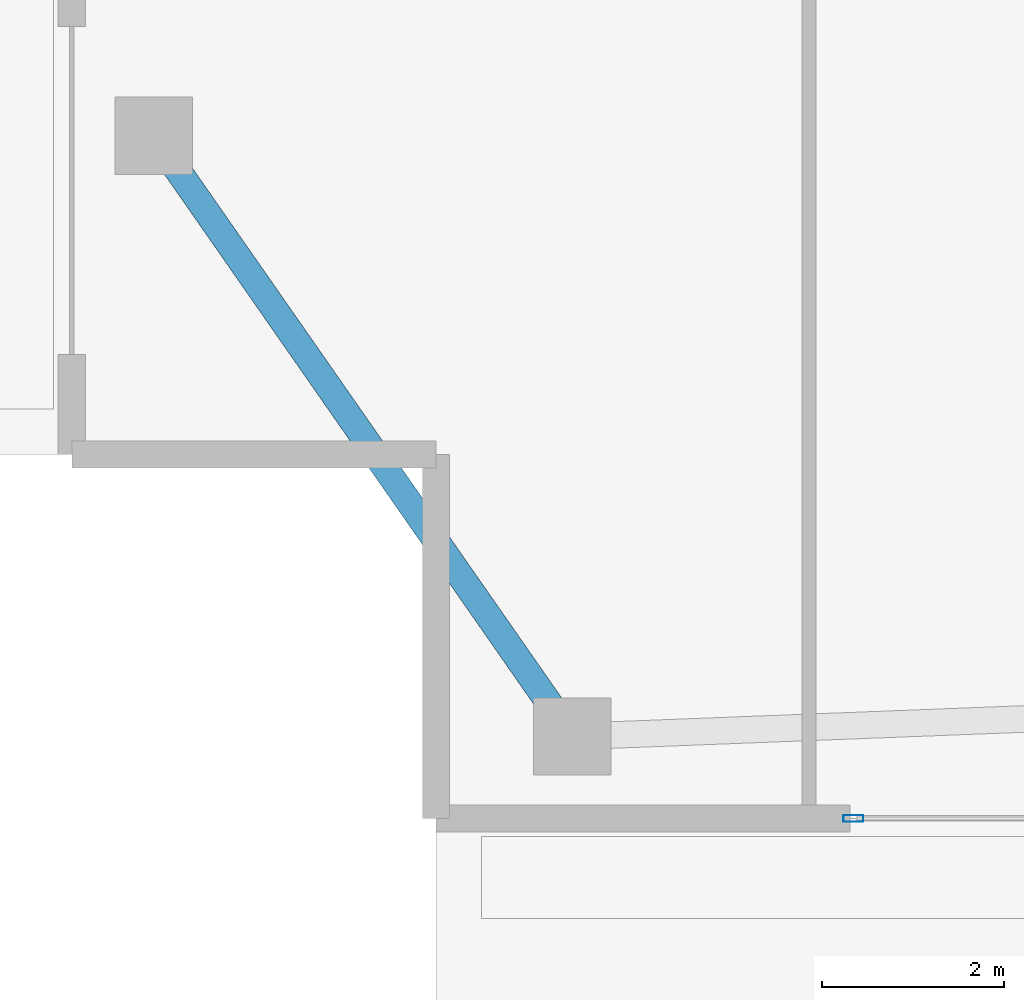
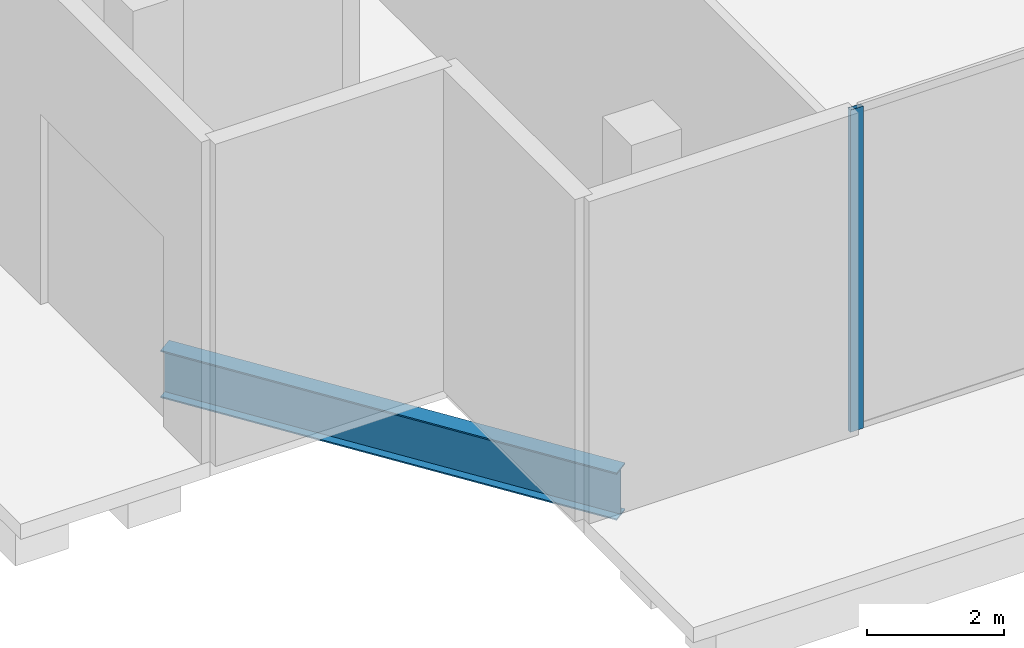
# One storey, part 3 of 39: 1 beam, 1 member, 1 element without a shape of its own.
"""IFC4 building model written with IfcOpenShell, lengths in metres."""

from ifc_helpers import new_model, si_unit, direction, frame, origin, origin_2d, place, context, subcontext, project, spatial, hollow_rectangle, i_section, extrude, material, layer, layer_set, material_profile, profile_set, type_object, element, aggregate, save


model = new_model("IFC4")

# Units and contexts
model_context = context("Model", 3, precision=1e-05, world=origin(), true_north=direction((0.0, 1.0)))
body_context = subcontext(model_context, "Body", "Model", "MODEL_VIEW")
ifc_project = project(units=[si_unit("LENGTHUNIT", "METRE"), si_unit("AREAUNIT", "SQUARE_METRE"), si_unit("VOLUMEUNIT", "CUBIC_METRE"), si_unit("PLANEANGLEUNIT", "RADIAN"), si_unit("MASSUNIT", "GRAM", prefix="KILO")], contexts=[model_context])

# Site, building, storey
site_placement = place(None, origin())
site = spatial("IfcSite", under=ifc_project, at=site_placement, CompositionType="ELEMENT")
building_placement = place(site_placement, origin())
building = spatial("IfcBuilding", under=site, at=building_placement, Name="Zuhayl Quay Hotel", CompositionType="ELEMENT")
storey_placement = place(building_placement, origin())
storey = spatial("IfcBuildingStorey", under=building, at=storey_placement, Name="L00", CompositionType="ELEMENT", Elevation=0.0)

# Beam
ifc_material_1 = material(Name="Steel ASTM A992 Grade 50", Category="steel")
ifc_material_profile_1 = material_profile(ifc_material_1, i_section(OverallWidth=0.2919921875, OverallDepth=0.845947265625, WebThickness=0.015380859375, FlangeThickness=0.0244140625, at=origin_2d()), Name="W33X141")
ifc_profile_set_1 = profile_set([ifc_material_profile_1], Name="Steel ASTM A992 Grade 50")
beam_type = type_object("IfcBeamType", Name="BM_PG3_W33X141", PredefinedType="BEAM", material=ifc_profile_set_1)
beam_placement = place(storey_placement, frame((-30.6943359375, -22.821044921875, -0.68310546875), z_axis=(-0.571785900762, 0.820402878889, 0.0), x_axis=(-0.820402878889, -0.571785900762, 0.0)))
element("IfcBeam", 1, at=beam_placement, inside=storey, type_object=beam_type, Name="L00 Floor Beam PG_W_L00_0", PredefinedType="BEAM", context=body_context, shape_type="SweptSolid", body=[
    extrude(i_section(OverallWidth=0.2919921875, OverallDepth=0.845947265625, WebThickness=0.015380859375, FlangeThickness=0.0244140625, at=origin_2d()), origin(), (0.0, 0.0, 1.0), 7.364990234375),
])

# Curtain wall, member
ifc_material_2 = material(Name="Anodised Aluminium 6063-T6", Category="aluminium")
ifc_layer = layer(ifc_material_2, 0.199951171875, Name="Anodised Aluminium 6063-T6", Category="aluminium")
ifc_layer_set = layer_set([ifc_layer], Name="Anodised Aluminium 6063-T6")
curtain_wall_type = type_object("IfcCurtainWallType", Name="CW_SYS_POD", PredefinedType="USERDEFINED", material=ifc_layer_set)
curtain_wall_placement = place(storey_placement, origin())
curtain_wall = element("IfcCurtainWall", 2, at=curtain_wall_placement, inside=storey, type_object=curtain_wall_type, Name="L00 Curtain Wall ENV_L00_E11_CW6", ObjectType="UNITISED CURTAIN WALL", PredefinedType="USERDEFINED")
ifc_material_3 = material(Name="Black-anodised aluminium 6063-T6", Category="aluminium")
ifc_material_profile_2 = material_profile(ifc_material_3, hollow_rectangle(XDim=0.074951171875, YDim=0.219970703125, WallThickness=0.00390625, at=origin_2d()), Name="ALU220X75")
ifc_profile_set_2 = profile_set([ifc_material_profile_2], Name="Black-anodised aluminium 6063-T6")
member_type = type_object("IfcMemberType", Name="MB_CW_MUL_220", PredefinedType="MULLION", material=ifc_profile_set_2)
member_placement = place(storey_placement, frame((-27.41259765625, -24.0, 0.0), z_axis=(0.0, 0.0, 1.0), x_axis=(0.0, -1.0, 0.0)))
member = element("IfcMember", 3, at=member_placement, type_object=member_type, Name="CW-POD mullion 2", PredefinedType="MULLION", context=body_context, shape_type="SweptSolid", body=[
    extrude(hollow_rectangle(XDim=0.074951171875, YDim=0.219970703125, WallThickness=0.00390625, at=origin_2d()), origin(), (0.0, 0.0, 1.0), 5.75),
])
aggregate(curtain_wall, [member])

save(model, "model.ifc")
